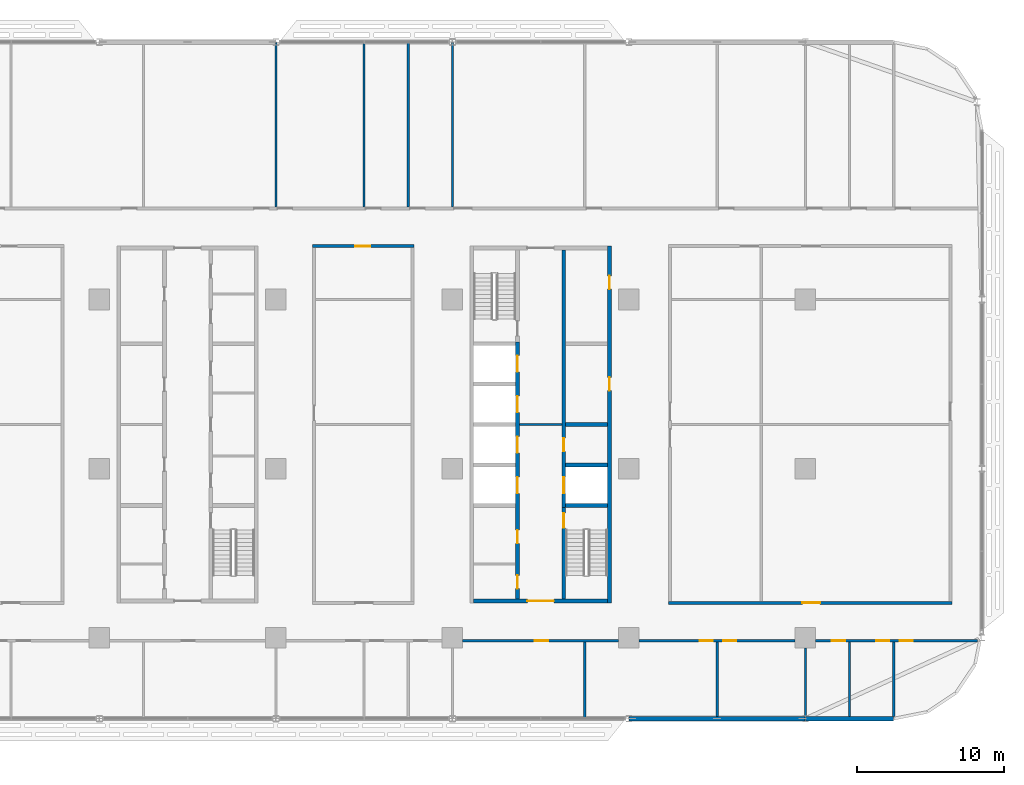
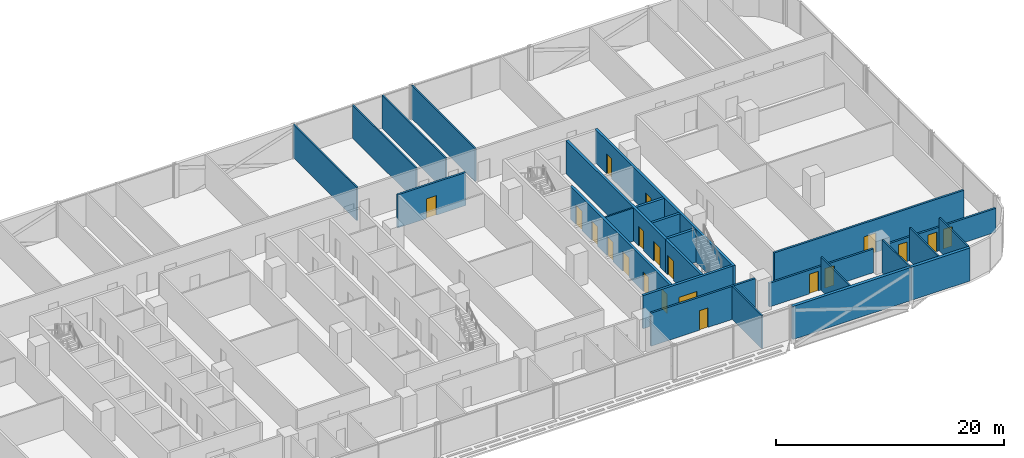
# One storey, part 16 of 29: 25 walls, 20 doors, 20 openings.
"""IFC4 building model written with IfcOpenShell, lengths in metres."""

import ifcopenshell
import ifcopenshell.guid

model = None  # the IFC model being written
_history = None  # IfcOwnerHistory: only IFC2X3 demands one
_inside = {}  # id of a spatial element -> (the spatial element, [elements in it])
_under = {}  # id of a project, library or spatial element -> (it, [spatial elements below it])
_declared = {}  # id of a project -> (the project, [libraries it declares])
_typed = {}  # id of a type object -> (the type object, [elements of that type])
_made_of = {}  # id of a material, layer set ... -> (it, [elements and type objects made of it])


def new_model(schema):
    """Start an empty IFC model of exactly this schema.

    Asked for "IFC4X3", IfcOpenShell would pick the latest addendum, in which some entities
    have other attributes; the version numbers below select the first issue.
    IFC2X3 requires an IfcOwnerHistory on every rooted entity: one is made here for all.
    """
    global model, _history
    if schema == "IFC4X3":
        model = ifcopenshell.file(schema_version=(4, 3, 0, 0))
    else:
        model = ifcopenshell.file(schema=schema)
    _inside.clear()
    _under.clear()
    _declared.clear()
    _typed.clear()
    _made_of.clear()
    _history = None
    if model.schema == "IFC2X3":
        org = make("IfcOrganization", Name="unknown")
        user = make(
            "IfcPersonAndOrganization",
            ThePerson=make("IfcPerson", FamilyName="unknown"),
            TheOrganization=org,
        )
        app = make(
            "IfcApplication",
            ApplicationDeveloper=org,
            Version="unknown",
            ApplicationFullName="unknown",
            ApplicationIdentifier="unknown",
        )
        _history = make(
            "IfcOwnerHistory",
            OwningUser=user,
            OwningApplication=app,
            ChangeAction="ADDED",
            CreationDate=0,
        )
    return model


def make(cls, **values):
    """One entity of the class cls with the attributes given. An attribute that is None is left unset."""
    return model.create_entity(
        cls, **{name: value for name, value in values.items() if value is not None}
    )


def rooted(cls, **values):
    """An entity with a GlobalId (a new one), such as an element, a storey or a relation."""
    return make(cls, GlobalId=ifcopenshell.guid.new(), OwnerHistory=_history, **values)


def si_unit(unit_type, name, prefix=None):
    """IfcSIUnit, for example si_unit("LENGTHUNIT", "METRE", prefix="MILLI")."""
    return make("IfcSIUnit", UnitType=unit_type, Prefix=prefix, Name=name)


def assignment(units):
    """IfcUnitAssignment: the units of a project."""
    return None if units is None else make("IfcUnitAssignment", Units=units)


def point(xyz):
    """IfcCartesianPoint."""
    return None if xyz is None else make("IfcCartesianPoint", Coordinates=xyz)


def direction(xyz):
    """IfcDirection."""
    return None if xyz is None else make("IfcDirection", DirectionRatios=xyz)


def frame(location, z_axis=None, x_axis=None):
    """IfcAxis2Placement3D, a coordinate frame: its origin and axes. An axis left out is left unset."""
    return make(
        "IfcAxis2Placement3D",
        Location=point(location),
        Axis=direction(z_axis),
        RefDirection=direction(x_axis),
    )


def frame_2d(location, x_axis=None):
    """IfcAxis2Placement2D, a coordinate frame in the plane: its origin and x axis."""
    return make(
        "IfcAxis2Placement2D", Location=point(location), RefDirection=direction(x_axis)
    )


def origin():
    """The frame at (0, 0, 0) with its axes left unset."""
    return frame((0.0, 0.0, 0.0))


def place(relative_to, where):
    """IfcLocalPlacement: puts the frame where relative to a parent placement (None: the world)."""
    return make(
        "IfcLocalPlacement", PlacementRelTo=relative_to, RelativePlacement=where
    )


def context(
    kind, dimensions, precision=None, world=None, true_north=None, identifier=None
):
    """IfcGeometricRepresentationContext, for example the 3D "Model" context."""
    return make(
        "IfcGeometricRepresentationContext",
        ContextIdentifier=identifier,
        ContextType=kind,
        CoordinateSpaceDimension=dimensions,
        Precision=precision,
        WorldCoordinateSystem=world,
        TrueNorth=true_north,
    )


def subcontext(parent, identifier, kind, view, scale=None):
    """IfcGeometricRepresentationSubContext, for example "Body" below "Model"."""
    return make(
        "IfcGeometricRepresentationSubContext",
        ContextIdentifier=identifier,
        ContextType=kind,
        ParentContext=parent,
        TargetScale=scale,
        TargetView=view,
    )


def project(units=None, contexts=None):
    """IfcProject with its units and contexts."""
    return rooted(
        "IfcProject",
        Name="project",
        RepresentationContexts=contexts,
        UnitsInContext=assignment(units),
    )


def spatial(cls, under=None, at=None, **own):
    """A site, building, storey or space (cls), placed at a placement, below another one or the project."""
    s = rooted(cls, ObjectPlacement=at, **own)
    if under is not None:
        _under.setdefault(under.id(), (under, []))[1].append(s)
    return s


def profile(cls, at=None, kind="AREA", **sizes):
    """A parametric profile (cls). Its sizes go by their IFC names, for example OverallWidth=200.0."""
    return make(cls, ProfileType=kind, Position=at, **sizes)


def rectangle(**sizes):
    """IfcRectangleProfileDef."""
    return profile("IfcRectangleProfileDef", **sizes)


def extrude(swept, where, along, depth):
    """IfcExtrudedAreaSolid: the profile swept, set in the frame where, extruded along a direction by depth."""
    return make(
        "IfcExtrudedAreaSolid",
        SweptArea=swept,
        Position=where,
        ExtrudedDirection=direction(along),
        Depth=depth,
    )


def shape(context_of_items, identifier, shape_type, items):
    """IfcShapeRepresentation: the items that make up one representation, for example the "Body"."""
    return make(
        "IfcShapeRepresentation",
        ContextOfItems=context_of_items,
        RepresentationIdentifier=identifier,
        RepresentationType=shape_type,
        Items=items,
    )


def material(Name=None, Category=None):
    """IfcMaterial."""
    return make("IfcMaterial", Name=Name, Category=Category)


def layer(
    of_material, thickness, ventilated=None, Name=None, Category=None, Priority=None
):
    """IfcMaterialLayer: one layer of a wall or slab, of a material (None: an air gap)."""
    return make(
        "IfcMaterialLayer",
        Material=of_material,
        LayerThickness=thickness,
        IsVentilated=ventilated,
        Name=Name,
        Category=Category,
        Priority=Priority,
    )


def layer_set(layers, Name=None):
    """IfcMaterialLayerSet."""
    return make("IfcMaterialLayerSet", MaterialLayers=layers, LayerSetName=Name)


def made_of(thing, what):
    """Note that an element or type object is made of a material, layer set ...; save() writes the relation."""
    if what is not None:
        _made_of.setdefault(what.id(), (what, []))[1].append(thing)
    return thing


def type_object(cls, material=None, **own):
    """A type object (cls), such as IfcWallType, which elements share."""
    return made_of(rooted(cls, **own), material)


def element(
    cls,
    number,
    at=None,
    inside=None,
    cuts=None,
    type_object=None,
    material=None,
    context=None,
    identifier="Body",
    shape_type=None,
    held_by="IfcProductDefinitionShape",
    body=None,
    shapes=None,
    **own,
):
    """One element of the class cls, such as IfcWall. Its Tag is "e" and its number.

    at: its placement. inside: the storey or other place that contains it. cuts: it is an
    opening in that element (IfcRelVoidsElement). A single representation is given by context,
    identifier, shape_type and body (its items); several are given by shapes. held_by: the class
    of the entity that holds the representations. save() writes the other relations.
    """
    e = rooted(cls, Tag="e%d" % number, ObjectPlacement=at, **own)
    if body is not None:
        shapes = [shape(context, identifier, shape_type, body)]
    if shapes is not None:
        e.Representation = make(held_by, Representations=shapes)
    if inside is not None:
        _inside.setdefault(inside.id(), (inside, []))[1].append(e)
    if cuts is not None:
        rooted(
            "IfcRelVoidsElement", RelatingBuildingElement=cuts, RelatedOpeningElement=e
        )
    if type_object is not None:
        _typed.setdefault(type_object.id(), (type_object, []))[1].append(e)
    return made_of(e, material)


def fill(opening, filler):
    """IfcRelFillsElement: the door or window that sits in an opening."""
    return rooted(
        "IfcRelFillsElement",
        RelatingOpeningElement=opening,
        RelatedBuildingElement=filler,
    )


def aggregate(whole, parts):
    """IfcRelAggregates: a whole, such as a stair, and the parts it consists of."""
    return rooted("IfcRelAggregates", RelatingObject=whole, RelatedObjects=parts)


def save(model, path):
    """Write the relations noted so far, then the file.

    IfcRelAggregates (storeys below a building ...), IfcRelContainedInSpatialStructure (elements
    in a storey), IfcRelDefinesByType, IfcRelAssociatesMaterial and IfcRelDeclares: one each for
    every whole, place, type object, material and project.
    """
    for whole, parts in _under.values():
        aggregate(whole, parts)
    for where, things in _inside.values():
        rooted(
            "IfcRelContainedInSpatialStructure",
            RelatedElements=things,
            RelatingStructure=where,
        )
    for kind, things in _typed.values():
        rooted("IfcRelDefinesByType", RelatedObjects=things, RelatingType=kind)
    for what, things in _made_of.values():
        rooted("IfcRelAssociatesMaterial", RelatedObjects=things, RelatingMaterial=what)
    for by, libraries in _declared.values():
        rooted("IfcRelDeclares", RelatingContext=by, RelatedDefinitions=libraries)
    model.write(path)


model = new_model("IFC4")

# Units and contexts
model_context = context("Model", 3, precision=1e-05, world=origin(), true_north=direction((0.0, 1.0)))
body_context = subcontext(model_context, "Body", "Model", "MODEL_VIEW")
ifc_project = project(units=[si_unit("LENGTHUNIT", "METRE"), si_unit("AREAUNIT", "SQUARE_METRE"), si_unit("VOLUMEUNIT", "CUBIC_METRE"), si_unit("PLANEANGLEUNIT", "RADIAN"), si_unit("MASSUNIT", "GRAM", prefix="KILO")], contexts=[model_context])

# Site, building, storey
site_placement = place(None, origin())
site = spatial("IfcSite", under=ifc_project, at=site_placement, CompositionType="ELEMENT")
building_placement = place(site_placement, origin())
building = spatial("IfcBuilding", under=site, at=building_placement, Name="Mahtab Terrace Research Tower", CompositionType="ELEMENT")
storey_placement = place(building_placement, frame((0.0, 0.0, 113.5)))
storey = spatial("IfcBuildingStorey", under=building, at=storey_placement, Name="L26", CompositionType="ELEMENT", Elevation=113.5)

# Wall
ifc_material_1 = material(Name="Gypsum board partition")
ifc_layer_1 = layer(ifc_material_1, 0.14990234375)
ifc_layer_set_1 = layer_set([ifc_layer_1], Name="Core partition 150")
wall_type_1 = type_object("IfcWallType", Name="Core partition 150", PredefinedType="PARTITIONING", material=ifc_layer_set_1)
wall_1_placement = place(storey_placement, frame((22.550048828125, 3.0, 0.0), z_axis=(0.0, 0.0, 1.0), x_axis=(1.0, 0.0, 0.0)))
element("IfcWall", 1, at=wall_1_placement, inside=storey, type_object=wall_type_1, Name="Core wall C ffl", PredefinedType="PARTITIONING", context=body_context, shape_type="SweptSolid", body=[
    extrude(rectangle(XDim=2.89990234375, YDim=0.14990234375, at=frame_2d((1.449951171875, 0.0))), origin(), (0.0, 0.0, 1.0), 3.550048828125),
])

# Wall, openings, doors
ifc_material_2 = material(Name="Concrete C70/85", Category="concrete")
ifc_layer_2 = layer(ifc_material_2, 0.25)
ifc_layer_set_2 = layer_set([ifc_layer_2], Name="Core wall 250")
wall_type_2 = type_object("IfcWallType", Name="Core wall 250", PredefinedType="SOLIDWALL", material=ifc_layer_set_2)
wall_2_placement = place(storey_placement, frame((28.675048828125, -9.125, 0.0), z_axis=(0.0, 0.0, 1.0), x_axis=(0.0, 1.0, 0.0)))
wall_2 = element("IfcWall", 2, at=wall_2_placement, inside=storey, type_object=wall_type_2, Name="Core wall C outerE", PredefinedType="SOLIDWALL", context=body_context, shape_type="SweptSolid", body=[
    extrude(rectangle(XDim=24.25, YDim=0.25, at=frame_2d((12.125, 0.0))), origin(), (0.0, 0.0, 1.0), 3.550048828125),
])
opening_1_placement = place(wall_2_placement, frame((14.425048828125, 0.0, 0.0)))
opening_1 = element("IfcOpeningElement", 3, at=opening_1_placement, cuts=wall_2, Name="Opening C-R2", PredefinedType="OPENING", context=body_context, shape_type="SweptSolid", body=[
    extrude(rectangle(XDim=0.89990234375, YDim=2.10009765625, at=frame_2d((0.449951171875, 1.050048828125))), frame((0.0, 0.135009765625, 0.0), z_axis=(0.0, -1.0, 0.0), x_axis=(1.0, 0.0, 0.0)), (0.0, 0.0, 1.0), 0.27001953125),
])
opening_2_placement = place(wall_2_placement, frame((21.324951171875, 0.0, 0.0)))
opening_2 = element("IfcOpeningElement", 4, at=opening_2_placement, cuts=wall_2, Name="Opening C-R5", PredefinedType="OPENING", context=body_context, shape_type="SweptSolid", body=[
    extrude(rectangle(XDim=0.89990234375, YDim=2.10009765625, at=frame_2d((0.449951171875, 1.050048828125))), frame((0.0, 0.135009765625, 0.0), z_axis=(0.0, -1.0, 0.0), x_axis=(1.0, 0.0, 0.0)), (0.0, 0.0, 1.0), 0.27001953125),
])
ifc_material_3 = material(Name="Steel fire door", Category="steel")
door_type_1 = type_object("IfcDoorType", Name="Room door 900x2100 1 HR", OperationType="NOTDEFINED", PredefinedType="DOOR", material=ifc_material_3)
door_1_placement = place(opening_1_placement, origin())
door_1 = element("IfcDoor", 5, at=door_1_placement, inside=storey, type_object=door_type_1, Name="Plant room door", OperationType="SINGLE_SWING_RIGHT", OverallHeight=2.10009765625, OverallWidth=0.89990234375, PredefinedType="DOOR", context=body_context, shape_type="SweptSolid", body=[
    extrude(rectangle(XDim=0.89990234375, YDim=2.10009765625, at=frame_2d((0.449951171875, 1.050048828125))), frame((0.0, 0.02490234375, 0.0), z_axis=(0.0, -1.0, 0.0), x_axis=(1.0, 0.0, 0.0)), (0.0, 0.0, 1.0), 0.050048828125),
])
fill(opening_1, door_1)
door_2_placement = place(opening_2_placement, origin())
door_2 = element("IfcDoor", 6, at=door_2_placement, inside=storey, type_object=door_type_1, Name="Gas cylinder store door", OperationType="SINGLE_SWING_LEFT", OverallHeight=2.10009765625, OverallWidth=0.89990234375, PredefinedType="DOOR", context=body_context, shape_type="SweptSolid", body=[
    extrude(rectangle(XDim=0.89990234375, YDim=2.10009765625, at=frame_2d((0.449951171875, 1.050048828125))), frame((0.0, 0.02490234375, 0.0), z_axis=(0.0, -1.0, 0.0), x_axis=(1.0, 0.0, 0.0)), (0.0, 0.0, 1.0), 0.050048828125),
])
fill(opening_2, door_2)

# Wall, opening, door
wall_3_placement = place(storey_placement, frame((28.550048828125, -9.0, 0.0), z_axis=(0.0, 0.0, 1.0), x_axis=(-1.0, 0.0, 0.0)))
wall_3 = element("IfcWall", 7, at=wall_3_placement, inside=storey, type_object=wall_type_2, Name="Core wall C endS", PredefinedType="SOLIDWALL", context=body_context, shape_type="SweptSolid", body=[
    extrude(rectangle(XDim=9.10009765625, YDim=0.25, at=frame_2d((4.550048828125, 0.0))), origin(), (0.0, 0.0, 1.0), 3.550048828125),
])
opening_3_placement = place(wall_3_placement, frame((3.64990234375, 0.0, 0.0)))
opening_3 = element("IfcOpeningElement", 8, at=opening_3_placement, cuts=wall_3, Name="Opening C-S1", PredefinedType="OPENING", context=body_context, shape_type="SweptSolid", body=[
    extrude(rectangle(XDim=1.800048828125, YDim=2.10009765625, at=frame_2d((0.89990234375, 1.050048828125))), frame((0.0, 0.135009765625, 0.0), z_axis=(0.0, -1.0, 0.0), x_axis=(1.0, 0.0, 0.0)), (0.0, 0.0, 1.0), 0.27001953125),
])
door_type_2 = type_object("IfcDoorType", Name="Lobby double door 1800x2100 1 HR", OperationType="DOUBLE_DOOR_SINGLE_SWING", PredefinedType="DOOR", material=ifc_material_3)
door_3_placement = place(opening_3_placement, origin())
door_3 = element("IfcDoor", 9, at=door_3_placement, inside=storey, type_object=door_type_2, Name="Core entrance door C S", OperationType="DOUBLE_DOOR_SINGLE_SWING", OverallHeight=2.10009765625, OverallWidth=1.800048828125, PredefinedType="DOOR", context=body_context, shape_type="SweptSolid", body=[
    extrude(rectangle(XDim=1.800048828125, YDim=2.10009765625, at=frame_2d((0.89990234375, 1.050048828125))), frame((0.0, 0.02490234375, 0.0), z_axis=(0.0, -1.0, 0.0), x_axis=(1.0, 0.0, 0.0)), (0.0, 0.0, 1.0), 0.050048828125),
])
fill(opening_3, door_3)

# Wall, openings, doors
wall_4_placement = place(storey_placement, frame((22.425048828125, -8.875, 0.0), z_axis=(0.0, 0.0, 1.0), x_axis=(0.0, 1.0, 0.0)))
wall_4 = element("IfcWall", 10, at=wall_4_placement, inside=storey, type_object=wall_type_2, Name="Core wall C innerWSL", PredefinedType="SOLIDWALL", context=body_context, shape_type="SweptSolid", body=[
    extrude(rectangle(XDim=17.5, YDim=0.25, at=frame_2d((8.75, 0.0))), origin(), (0.0, 0.0, 1.0), 3.550048828125),
])
opening_4_placement = place(wall_4_placement, frame((7.199951171875, 0.0, 0.0)))
opening_4 = element("IfcOpeningElement", 11, at=opening_4_placement, cuts=wall_4, Name="Opening LD17-L26", PredefinedType="OPENING", context=body_context, shape_type="SweptSolid", body=[
    extrude(rectangle(XDim=1.10009765625, YDim=2.10009765625, at=frame_2d((0.550048828125, 1.050048828125))), frame((0.0, 0.135009765625, 0.0), z_axis=(0.0, -1.0, 0.0), x_axis=(1.0, 0.0, 0.0)), (0.0, 0.0, 1.0), 0.27001953125),
])
opening_5_placement = place(wall_4_placement, frame((9.949951171875, 0.0, 0.0)))
opening_5 = element("IfcOpeningElement", 12, at=opening_5_placement, cuts=wall_4, Name="Opening LD18-L26", PredefinedType="OPENING", context=body_context, shape_type="SweptSolid", body=[
    extrude(rectangle(XDim=1.10009765625, YDim=2.10009765625, at=frame_2d((0.550048828125, 1.050048828125))), frame((0.0, 0.135009765625, 0.0), z_axis=(0.0, -1.0, 0.0), x_axis=(1.0, 0.0, 0.0)), (0.0, 0.0, 1.0), 0.27001953125),
])
opening_6_placement = place(wall_4_placement, frame((12.699951171875, 0.0, 0.0)))
opening_6 = element("IfcOpeningElement", 13, at=opening_6_placement, cuts=wall_4, Name="Opening LD19-L26", PredefinedType="OPENING", context=body_context, shape_type="SweptSolid", body=[
    extrude(rectangle(XDim=1.10009765625, YDim=2.10009765625, at=frame_2d((0.550048828125, 1.050048828125))), frame((0.0, 0.135009765625, 0.0), z_axis=(0.0, -1.0, 0.0), x_axis=(1.0, 0.0, 0.0)), (0.0, 0.0, 1.0), 0.27001953125),
])
opening_7_placement = place(wall_4_placement, frame((15.449951171875, 0.0, 0.0)))
opening_7 = element("IfcOpeningElement", 14, at=opening_7_placement, cuts=wall_4, Name="Opening LD20-L26", PredefinedType="OPENING", context=body_context, shape_type="SweptSolid", body=[
    extrude(rectangle(XDim=1.10009765625, YDim=2.10009765625, at=frame_2d((0.550048828125, 1.050048828125))), frame((0.0, 0.135009765625, 0.0), z_axis=(0.0, -1.0, 0.0), x_axis=(1.0, 0.0, 0.0)), (0.0, 0.0, 1.0), 0.27001953125),
])
opening_8_placement = place(wall_4_placement, frame((0.71240234375, 0.0, 0.0)))
opening_8 = element("IfcOpeningElement", 15, at=opening_8_placement, cuts=wall_4, Name="Opening C-R3", PredefinedType="OPENING", context=body_context, shape_type="SweptSolid", body=[
    extrude(rectangle(XDim=0.89990234375, YDim=2.10009765625, at=frame_2d((0.449951171875, 1.050048828125))), frame((0.0, 0.135009765625, 0.0), z_axis=(0.0, -1.0, 0.0), x_axis=(1.0, 0.0, 0.0)), (0.0, 0.0, 1.0), 0.27001953125),
])
opening_9_placement = place(wall_4_placement, frame((3.78759765625, 0.0, 0.0)))
opening_9 = element("IfcOpeningElement", 16, at=opening_9_placement, cuts=wall_4, Name="Opening C-R4", PredefinedType="OPENING", context=body_context, shape_type="SweptSolid", body=[
    extrude(rectangle(XDim=0.89990234375, YDim=2.10009765625, at=frame_2d((0.449951171875, 1.050048828125))), frame((0.0, 0.135009765625, 0.0), z_axis=(0.0, -1.0, 0.0), x_axis=(1.0, 0.0, 0.0)), (0.0, 0.0, 1.0), 0.27001953125),
])
ifc_material_4 = material(Name="Stainless steel AISI 304", Category="steel")
door_type_3 = type_object("IfcDoorType", Name="Landing door 1100x2100", OperationType="DOUBLE_DOOR_SLIDING", PredefinedType="DOOR", material=ifc_material_4)
door_4_placement = place(opening_4_placement, origin())
door_4 = element("IfcDoor", 17, at=door_4_placement, inside=storey, type_object=door_type_3, Name="Landing door SV1 L26", OperationType="DOUBLE_DOOR_SLIDING", OverallHeight=2.10009765625, OverallWidth=1.10009765625, PredefinedType="DOOR", context=body_context, shape_type="SweptSolid", body=[
    extrude(rectangle(XDim=1.10009765625, YDim=2.10009765625, at=frame_2d((0.550048828125, 1.050048828125))), frame((0.0, 0.02490234375, 0.0), z_axis=(0.0, -1.0, 0.0), x_axis=(1.0, 0.0, 0.0)), (0.0, 0.0, 1.0), 0.050048828125),
])
fill(opening_4, door_4)
door_5_placement = place(opening_5_placement, origin())
door_5 = element("IfcDoor", 18, at=door_5_placement, inside=storey, type_object=door_type_3, Name="Landing door SV2 L26", OperationType="DOUBLE_DOOR_SLIDING", OverallHeight=2.10009765625, OverallWidth=1.10009765625, PredefinedType="DOOR", context=body_context, shape_type="SweptSolid", body=[
    extrude(rectangle(XDim=1.10009765625, YDim=2.10009765625, at=frame_2d((0.550048828125, 1.050048828125))), frame((0.0, 0.02490234375, 0.0), z_axis=(0.0, -1.0, 0.0), x_axis=(1.0, 0.0, 0.0)), (0.0, 0.0, 1.0), 0.050048828125),
])
fill(opening_5, door_5)
door_6_placement = place(opening_6_placement, origin())
door_6 = element("IfcDoor", 19, at=door_6_placement, inside=storey, type_object=door_type_3, Name="Landing door FF1 L26", OperationType="DOUBLE_DOOR_SLIDING", OverallHeight=2.10009765625, OverallWidth=1.10009765625, PredefinedType="DOOR", context=body_context, shape_type="SweptSolid", body=[
    extrude(rectangle(XDim=1.10009765625, YDim=2.10009765625, at=frame_2d((0.550048828125, 1.050048828125))), frame((0.0, 0.02490234375, 0.0), z_axis=(0.0, -1.0, 0.0), x_axis=(1.0, 0.0, 0.0)), (0.0, 0.0, 1.0), 0.050048828125),
])
fill(opening_6, door_6)
door_7_placement = place(opening_7_placement, origin())
door_7 = element("IfcDoor", 20, at=door_7_placement, inside=storey, type_object=door_type_3, Name="Landing door FF2 L26", OperationType="DOUBLE_DOOR_SLIDING", OverallHeight=2.10009765625, OverallWidth=1.10009765625, PredefinedType="DOOR", context=body_context, shape_type="SweptSolid", body=[
    extrude(rectangle(XDim=1.10009765625, YDim=2.10009765625, at=frame_2d((0.550048828125, 1.050048828125))), frame((0.0, 0.02490234375, 0.0), z_axis=(0.0, -1.0, 0.0), x_axis=(1.0, 0.0, 0.0)), (0.0, 0.0, 1.0), 0.050048828125),
])
fill(opening_7, door_7)
door_8_placement = place(opening_8_placement, origin())
door_8 = element("IfcDoor", 21, at=door_8_placement, inside=storey, type_object=door_type_1, Name="Accessible WC door", OperationType="SINGLE_SWING_LEFT", OverallHeight=2.10009765625, OverallWidth=0.89990234375, PredefinedType="DOOR", context=body_context, shape_type="SweptSolid", body=[
    extrude(rectangle(XDim=0.89990234375, YDim=2.10009765625, at=frame_2d((0.449951171875, 1.050048828125))), frame((0.0, 0.02490234375, 0.0), z_axis=(0.0, -1.0, 0.0), x_axis=(1.0, 0.0, 0.0)), (0.0, 0.0, 1.0), 0.050048828125),
])
fill(opening_8, door_8)
door_9_placement = place(opening_9_placement, origin())
door_9 = element("IfcDoor", 22, at=door_9_placement, inside=storey, type_object=door_type_1, Name="WC block door", OperationType="SINGLE_SWING_RIGHT", OverallHeight=2.10009765625, OverallWidth=0.89990234375, PredefinedType="DOOR", context=body_context, shape_type="SweptSolid", body=[
    extrude(rectangle(XDim=0.89990234375, YDim=2.10009765625, at=frame_2d((0.449951171875, 1.050048828125))), frame((0.0, 0.02490234375, 0.0), z_axis=(0.0, -1.0, 0.0), x_axis=(1.0, 0.0, 0.0)), (0.0, 0.0, 1.0), 0.050048828125),
])
fill(opening_9, door_9)

# Wall, opening, door
wall_5_placement = place(storey_placement, frame((25.574951171875, -8.875, 0.0), z_axis=(0.0, 0.0, 1.0), x_axis=(0.0, 1.0, 0.0)))
wall_5 = element("IfcWall", 23, at=wall_5_placement, inside=storey, type_object=wall_type_2, Name="Core wall C innerES", PredefinedType="SOLIDWALL", context=body_context, shape_type="SweptSolid", body=[
    extrude(rectangle(XDim=6.25, YDim=0.25, at=frame_2d((3.125, 0.0))), origin(), (0.0, 0.0, 1.0), 3.550048828125),
])
opening_10_placement = place(wall_5_placement, frame((4.85009765625, 0.0, 0.0)))
opening_10 = element("IfcOpeningElement", 24, at=opening_10_placement, cuts=wall_5, Name="Opening C-ST4", PredefinedType="OPENING", context=body_context, shape_type="SweptSolid", body=[
    extrude(rectangle(XDim=1.0, YDim=2.10009765625, at=frame_2d((0.5, 1.050048828125))), frame((0.0, 0.135009765625, 0.0), z_axis=(0.0, -1.0, 0.0), x_axis=(1.0, 0.0, 0.0)), (0.0, 0.0, 1.0), 0.27001953125),
])
door_type_4 = type_object("IfcDoorType", Name="Stair door 1000x2100 1.5 HR", OperationType="NOTDEFINED", PredefinedType="DOOR", material=ifc_material_3)
door_10_placement = place(opening_10_placement, origin())
door_10 = element("IfcDoor", 25, at=door_10_placement, inside=storey, type_object=door_type_4, Name="Stair door ST4 L26", OperationType="SINGLE_SWING_LEFT", OverallHeight=2.10009765625, OverallWidth=1.0, PredefinedType="DOOR", context=body_context, shape_type="SweptSolid", body=[
    extrude(rectangle(XDim=1.0, YDim=2.10009765625, at=frame_2d((0.5, 1.050048828125))), frame((0.0, 0.02490234375, 0.0), z_axis=(0.0, -1.0, 0.0), x_axis=(1.0, 0.0, 0.0)), (0.0, 0.0, 1.0), 0.050048828125),
])
fill(opening_10, door_10)

# Wall, openings, doors
wall_6_placement = place(storey_placement, frame((25.574951171875, 14.875, 0.0), z_axis=(0.0, 0.0, 1.0), x_axis=(0.0, -1.0, 0.0)))
wall_6 = element("IfcWall", 26, at=wall_6_placement, inside=storey, type_object=wall_type_2, Name="Core wall C innerELN", PredefinedType="SOLIDWALL", context=body_context, shape_type="SweptSolid", body=[
    extrude(rectangle(XDim=17.5, YDim=0.25, at=frame_2d((8.75, 0.0))), origin(), (0.0, 0.0, 1.0), 3.550048828125),
])
opening_11_placement = place(wall_6_placement, frame((15.449951171875, 0.0, 0.0)))
opening_11 = element("IfcOpeningElement", 27, at=opening_11_placement, cuts=wall_6, Name="Opening LD21-L26", PredefinedType="OPENING", context=body_context, shape_type="SweptSolid", body=[
    extrude(rectangle(XDim=1.10009765625, YDim=2.10009765625, at=frame_2d((0.550048828125, 1.050048828125))), frame((0.0, 0.135009765625, 0.0), z_axis=(0.0, -1.0, 0.0), x_axis=(1.0, 0.0, 0.0)), (0.0, 0.0, 1.0), 0.27001953125),
])
opening_12_placement = place(wall_6_placement, frame((12.800048828125, 0.0, 0.0)))
opening_12 = element("IfcOpeningElement", 28, at=opening_12_placement, cuts=wall_6, Name="Opening C-R1", PredefinedType="OPENING", context=body_context, shape_type="SweptSolid", body=[
    extrude(rectangle(XDim=0.89990234375, YDim=2.10009765625, at=frame_2d((0.449951171875, 1.050048828125))), frame((0.0, 0.135009765625, 0.0), z_axis=(0.0, -1.0, 0.0), x_axis=(1.0, 0.0, 0.0)), (0.0, 0.0, 1.0), 0.27001953125),
])
door_11_placement = place(opening_11_placement, origin())
door_11 = element("IfcDoor", 29, at=door_11_placement, inside=storey, type_object=door_type_3, Name="Landing door SV3 L26", OperationType="DOUBLE_DOOR_SLIDING", OverallHeight=2.10009765625, OverallWidth=1.10009765625, PredefinedType="DOOR", context=body_context, shape_type="SweptSolid", body=[
    extrude(rectangle(XDim=1.10009765625, YDim=2.10009765625, at=frame_2d((0.550048828125, 1.050048828125))), frame((0.0, 0.02490234375, 0.0), z_axis=(0.0, -1.0, 0.0), x_axis=(1.0, 0.0, 0.0)), (0.0, 0.0, 1.0), 0.050048828125),
])
fill(opening_11, door_11)
door_12_placement = place(opening_12_placement, origin())
door_12 = element("IfcDoor", 30, at=door_12_placement, inside=storey, type_object=door_type_1, Name="Plant room door", OperationType="SINGLE_SWING_LEFT", OverallHeight=2.10009765625, OverallWidth=0.89990234375, PredefinedType="DOOR", context=body_context, shape_type="SweptSolid", body=[
    extrude(rectangle(XDim=0.89990234375, YDim=2.10009765625, at=frame_2d((0.449951171875, 1.050048828125))), frame((0.0, 0.02490234375, 0.0), z_axis=(0.0, -1.0, 0.0), x_axis=(1.0, 0.0, 0.0)), (0.0, 0.0, 1.0), 0.050048828125),
])
fill(opening_12, door_12)

# Walls
for number, where, z_axis, x_axis, name in (
    (31, (25.699951171875, -2.5, 0.0), (0.0, 0.0, 1.0), (1.0, 0.0, 0.0), "Core wall C divE0"),
    (32, (25.699951171875, 0.25, 0.0), (0.0, 0.0, 1.0), (1.0, 0.0, 0.0), "Core wall C divE1"),
    (33, (25.699951171875, 3.0, 0.0), (0.0, 0.0, 1.0), (1.0, 0.0, 0.0), "Core wall C divE2"),
):
    element("IfcWall", number, at=place(storey_placement, frame(where, z_axis=z_axis, x_axis=x_axis)), inside=storey, type_object=wall_type_2, Name=name, PredefinedType="SOLIDWALL", context=body_context, shape_type="SweptSolid", body=[
        extrude(rectangle(XDim=2.85009765625, YDim=0.25, at=frame_2d((1.425048828125, 0.0))), origin(), (0.0, 0.0, 1.0), 3.550048828125),
    ])
ifc_material_5 = material(Name="Black aluminium cladding panel", Category="aluminium")
ifc_layer_3 = layer(ifc_material_5, 0.300048828125)
ifc_layer_set_3 = layer_set([ifc_layer_3], Name="Opaque facade wall 300")
wall_type_3 = type_object("IfcWallType", Name="Opaque facade wall 300", PredefinedType="NOTDEFINED", material=ifc_layer_set_3)
wall_7_placement = place(storey_placement, frame((30.02099609375, -17.0, 0.0), z_axis=(0.0, 0.0, 1.0), x_axis=(1.0, 0.0, 0.0)))
element("IfcWall", 34, at=wall_7_placement, inside=storey, type_object=wall_type_3, Name="Opaque facade wall L26 S29", PredefinedType="NOTDEFINED", context=body_context, shape_type="SweptSolid", body=[
    extrude(rectangle(XDim=11.9580078125, YDim=0.300048828125, at=frame_2d((5.97900390625, 0.0))), origin(), (0.0, 0.0, 1.0), 3.550048828125),
])
wall_8_placement = place(storey_placement, frame((42.02099609375, -17.0, 0.0), z_axis=(0.0, 0.0, 1.0), x_axis=(1.0, 0.0, 0.0)))
element("IfcWall", 35, at=wall_8_placement, inside=storey, type_object=wall_type_3, Name="Opaque facade wall L26 S30", PredefinedType="NOTDEFINED", context=body_context, shape_type="SweptSolid", body=[
    extrude(rectangle(XDim=5.97900390625, YDim=0.300048828125, at=frame_2d((2.989501953125, 0.0))), origin(), (0.0, 0.0, 1.0), 3.550048828125),
])

# Wall, opening, door
ifc_material_6 = material(Name="Gypsum board corridor wall on steel studs", Category="steel")
ifc_layer_4 = layer(ifc_material_6, 0.199951171875)
ifc_layer_set_4 = layer_set([ifc_layer_4], Name="WALL CORRIDOR 200")
wall_type_4 = type_object("IfcWallType", Name="WALL CORRIDOR 200", PredefinedType="PARTITIONING", material=ifc_layer_set_4)
wall_9_placement = place(storey_placement, frame((18.699951171875, -11.699951171875, 0.0), z_axis=(0.0, 0.0, 1.0), x_axis=(1.0, 0.0, 0.0)))
wall_9 = element("IfcWall", 36, at=wall_9_placement, inside=storey, type_object=wall_type_4, Name="L26-W006", PredefinedType="PARTITIONING", context=body_context, shape_type="SweptSolid", body=[
    extrude(rectangle(XDim=10.60009765625, YDim=0.199951171875, at=frame_2d((5.300048828125, 0.0))), origin(), (0.0, 0.0, 1.0), 3.550048828125),
])
opening_13_placement = place(wall_9_placement, frame((4.89990234375, 0.0, 0.0)))
opening_13 = element("IfcOpeningElement", 37, at=opening_13_placement, cuts=wall_9, Name="Opening L26-111", PredefinedType="OPENING", context=body_context, shape_type="SweptSolid", body=[
    extrude(rectangle(XDim=0.89990234375, YDim=2.10009765625, at=frame_2d((0.449951171875, 1.050048828125))), frame((0.0, 0.10986328125, 0.0), z_axis=(0.0, -1.0, 0.0), x_axis=(1.0, 0.0, 0.0)), (0.0, 0.0, 1.0), 0.219970703125),
])
ifc_material_7 = material(Name="Timber door leaf in steel frame", Category="steel")
door_type_5 = type_object("IfcDoorType", Name="DOOR 0900X2100 FD30S", OperationType="SINGLE_SWING_LEFT", PredefinedType="DOOR", material=ifc_material_7)
door_13_placement = place(opening_13_placement, origin())
door_13 = element("IfcDoor", 38, at=door_13_placement, inside=storey, type_object=door_type_5, Name="Door L26-111", OperationType="SINGLE_SWING_LEFT", OverallHeight=2.10009765625, OverallWidth=0.89990234375, PredefinedType="DOOR", context=body_context, shape_type="SweptSolid", body=[
    extrude(rectangle(XDim=0.89990234375, YDim=2.10009765625, at=frame_2d((0.449951171875, 1.050048828125))), frame((0.0, 0.02490234375, 0.0), z_axis=(0.0, -1.0, 0.0), x_axis=(1.0, 0.0, 0.0)), (0.0, 0.0, 1.0), 0.050048828125),
])
fill(opening_13, door_13)

# Wall, openings, doors
wall_10_placement = place(storey_placement, frame((30.699951171875, -11.699951171875, 0.0), z_axis=(0.0, 0.0, 1.0), x_axis=(1.0, 0.0, 0.0)))
wall_10 = element("IfcWall", 39, at=wall_10_placement, inside=storey, type_object=wall_type_4, Name="L26-W007", PredefinedType="PARTITIONING", context=body_context, shape_type="SweptSolid", body=[
    extrude(rectangle(XDim=10.60009765625, YDim=0.199951171875, at=frame_2d((5.300048828125, 0.0))), origin(), (0.0, 0.0, 1.0), 2.55126953125),
])
opening_14_placement = place(wall_10_placement, frame((4.10009765625, 0.0, 0.0)))
opening_14 = element("IfcOpeningElement", 40, at=opening_14_placement, cuts=wall_10, Name="Opening L26-112", PredefinedType="OPENING", context=body_context, shape_type="SweptSolid", body=[
    extrude(rectangle(XDim=0.89990234375, YDim=2.10009765625, at=frame_2d((0.449951171875, 1.050048828125))), frame((0.0, 0.10986328125, 0.0), z_axis=(0.0, -1.0, 0.0), x_axis=(1.0, 0.0, 0.0)), (0.0, 0.0, 1.0), 0.219970703125),
])
opening_15_placement = place(wall_10_placement, frame((5.699951171875, 0.0, 0.0)))
opening_15 = element("IfcOpeningElement", 41, at=opening_15_placement, cuts=wall_10, Name="Opening L26-113", PredefinedType="OPENING", context=body_context, shape_type="SweptSolid", body=[
    extrude(rectangle(XDim=0.89990234375, YDim=2.10009765625, at=frame_2d((0.449951171875, 1.050048828125))), frame((0.0, 0.10986328125, 0.0), z_axis=(0.0, -1.0, 0.0), x_axis=(1.0, 0.0, 0.0)), (0.0, 0.0, 1.0), 0.219970703125),
])
door_14_placement = place(opening_14_placement, origin())
door_14 = element("IfcDoor", 42, at=door_14_placement, inside=storey, type_object=door_type_5, Name="Door L26-112", OperationType="SINGLE_SWING_RIGHT", OverallHeight=2.10009765625, OverallWidth=0.89990234375, PredefinedType="DOOR", context=body_context, shape_type="SweptSolid", body=[
    extrude(rectangle(XDim=0.89990234375, YDim=2.10009765625, at=frame_2d((0.449951171875, 1.050048828125))), frame((0.0, 0.02490234375, 0.0), z_axis=(0.0, -1.0, 0.0), x_axis=(1.0, 0.0, 0.0)), (0.0, 0.0, 1.0), 0.050048828125),
])
fill(opening_14, door_14)
door_15_placement = place(opening_15_placement, origin())
door_15 = element("IfcDoor", 43, at=door_15_placement, inside=storey, type_object=door_type_5, Name="Door L26-113", OperationType="SINGLE_SWING_LEFT", OverallHeight=2.10009765625, OverallWidth=0.89990234375, PredefinedType="DOOR", context=body_context, shape_type="SweptSolid", body=[
    extrude(rectangle(XDim=0.89990234375, YDim=2.10009765625, at=frame_2d((0.449951171875, 1.050048828125))), frame((0.0, 0.02490234375, 0.0), z_axis=(0.0, -1.0, 0.0), x_axis=(1.0, 0.0, 0.0)), (0.0, 0.0, 1.0), 0.050048828125),
])
fill(opening_15, door_15)

wall_11_placement = place(storey_placement, frame((42.699951171875, -11.699951171875, 0.0), z_axis=(0.0, 0.0, 1.0), x_axis=(1.0, 0.0, 0.0)))
wall_11 = element("IfcWall", 44, at=wall_11_placement, inside=storey, type_object=wall_type_4, Name="L26-W008", PredefinedType="PARTITIONING", context=body_context, shape_type="SweptSolid", body=[
    extrude(rectangle(XDim=11.0078125, YDim=0.199951171875, at=frame_2d((5.50390625, 0.0))), origin(), (0.0, 0.0, 1.0), 2.55126953125),
])
opening_16_placement = place(wall_11_placement, frame((1.10009765625, 0.0, 0.0)))
opening_16 = element("IfcOpeningElement", 45, at=opening_16_placement, cuts=wall_11, Name="Opening L26-114", PredefinedType="OPENING", context=body_context, shape_type="SweptSolid", body=[
    extrude(rectangle(XDim=0.89990234375, YDim=2.10009765625, at=frame_2d((0.449951171875, 1.050048828125))), frame((0.0, 0.10986328125, 0.0), z_axis=(0.0, -1.0, 0.0), x_axis=(1.0, 0.0, 0.0)), (0.0, 0.0, 1.0), 0.219970703125),
])
opening_17_placement = place(wall_11_placement, frame((4.10009765625, 0.0, 0.0)))
opening_17 = element("IfcOpeningElement", 46, at=opening_17_placement, cuts=wall_11, Name="Opening L26-115", PredefinedType="OPENING", context=body_context, shape_type="SweptSolid", body=[
    extrude(rectangle(XDim=0.89990234375, YDim=2.10009765625, at=frame_2d((0.449951171875, 1.050048828125))), frame((0.0, 0.10986328125, 0.0), z_axis=(0.0, -1.0, 0.0), x_axis=(1.0, 0.0, 0.0)), (0.0, 0.0, 1.0), 0.219970703125),
])
opening_18_placement = place(wall_11_placement, frame((5.699951171875, 0.0, 0.0)))
opening_18 = element("IfcOpeningElement", 47, at=opening_18_placement, cuts=wall_11, Name="Opening L26-116", PredefinedType="OPENING", context=body_context, shape_type="SweptSolid", body=[
    extrude(rectangle(XDim=0.89990234375, YDim=2.10009765625, at=frame_2d((0.449951171875, 1.050048828125))), frame((0.0, 0.10986328125, 0.0), z_axis=(0.0, -1.0, 0.0), x_axis=(1.0, 0.0, 0.0)), (0.0, 0.0, 1.0), 0.219970703125),
])
door_16_placement = place(opening_16_placement, origin())
door_16 = element("IfcDoor", 48, at=door_16_placement, inside=storey, type_object=door_type_5, Name="Door L26-114", OperationType="SINGLE_SWING_RIGHT", OverallHeight=2.10009765625, OverallWidth=0.89990234375, PredefinedType="DOOR", context=body_context, shape_type="SweptSolid", body=[
    extrude(rectangle(XDim=0.89990234375, YDim=2.10009765625, at=frame_2d((0.449951171875, 1.050048828125))), frame((0.0, 0.02490234375, 0.0), z_axis=(0.0, -1.0, 0.0), x_axis=(1.0, 0.0, 0.0)), (0.0, 0.0, 1.0), 0.050048828125),
])
fill(opening_16, door_16)
door_17_placement = place(opening_17_placement, origin())
door_17 = element("IfcDoor", 49, at=door_17_placement, inside=storey, type_object=door_type_5, Name="Door L26-115", OperationType="SINGLE_SWING_RIGHT", OverallHeight=2.10009765625, OverallWidth=0.89990234375, PredefinedType="DOOR", context=body_context, shape_type="SweptSolid", body=[
    extrude(rectangle(XDim=0.89990234375, YDim=2.10009765625, at=frame_2d((0.449951171875, 1.050048828125))), frame((0.0, 0.02490234375, 0.0), z_axis=(0.0, -1.0, 0.0), x_axis=(1.0, 0.0, 0.0)), (0.0, 0.0, 1.0), 0.050048828125),
])
fill(opening_17, door_17)
door_18_placement = place(opening_18_placement, origin())
door_18 = element("IfcDoor", 50, at=door_18_placement, inside=storey, type_object=door_type_5, Name="Door L26-116", OperationType="SINGLE_SWING_LEFT", OverallHeight=2.10009765625, OverallWidth=0.89990234375, PredefinedType="DOOR", context=body_context, shape_type="SweptSolid", body=[
    extrude(rectangle(XDim=0.89990234375, YDim=2.10009765625, at=frame_2d((0.449951171875, 1.050048828125))), frame((0.0, 0.02490234375, 0.0), z_axis=(0.0, -1.0, 0.0), x_axis=(1.0, 0.0, 0.0)), (0.0, 0.0, 1.0), 0.050048828125),
])
fill(opening_18, door_18)

# Wall, opening, door
wall_12_placement = place(storey_placement, frame((32.699951171875, -9.125, 0.0), z_axis=(0.0, 0.0, 1.0), x_axis=(1.0, 0.0, 0.0)))
wall_12 = element("IfcWall", 51, at=wall_12_placement, inside=storey, type_object=wall_type_4, Name="L26-W012", PredefinedType="PARTITIONING", context=body_context, shape_type="SweptSolid", body=[
    extrude(rectangle(XDim=19.25, YDim=0.199951171875, at=frame_2d((9.625, 0.0))), origin(), (0.0, 0.0, 1.0), 3.550048828125),
])
opening_19_placement = place(wall_12_placement, frame((9.10009765625, 0.0, 0.0)))
opening_19 = element("IfcOpeningElement", 52, at=opening_19_placement, cuts=wall_12, Name="Opening L26-121", PredefinedType="OPENING", context=body_context, shape_type="SweptSolid", body=[
    extrude(rectangle(XDim=1.199951171875, YDim=2.10009765625, at=frame_2d((0.60009765625, 1.050048828125))), frame((0.0, 0.10986328125, 0.0), z_axis=(0.0, -1.0, 0.0), x_axis=(1.0, 0.0, 0.0)), (0.0, 0.0, 1.0), 0.219970703125),
])
door_type_6 = type_object("IfcDoorType", Name="DOOR 1200X2100 FD30S", OperationType="SINGLE_SWING_LEFT", PredefinedType="DOOR", material=ifc_material_7)
door_19_placement = place(opening_19_placement, origin())
door_19 = element("IfcDoor", 53, at=door_19_placement, inside=storey, type_object=door_type_6, Name="Door L26-121", OperationType="SINGLE_SWING_RIGHT", OverallHeight=2.10009765625, OverallWidth=1.199951171875, PredefinedType="DOOR", context=body_context, shape_type="SweptSolid", body=[
    extrude(rectangle(XDim=1.199951171875, YDim=2.10009765625, at=frame_2d((0.60009765625, 1.050048828125))), frame((0.0, 0.02490234375, 0.0), z_axis=(0.0, -1.0, 0.0), x_axis=(1.0, 0.0, 0.0)), (0.0, 0.0, 1.0), 0.050048828125),
])
fill(opening_19, door_19)

wall_13_placement = place(storey_placement, frame((8.5, 15.125, 0.0), z_axis=(0.0, 0.0, 1.0), x_axis=(1.0, 0.0, 0.0)))
wall_13 = element("IfcWall", 54, at=wall_13_placement, inside=storey, type_object=wall_type_4, Name="L26-W024", PredefinedType="PARTITIONING", context=body_context, shape_type="SweptSolid", body=[
    extrude(rectangle(XDim=6.89990234375, YDim=0.199951171875, at=frame_2d((3.449951171875, 0.0))), origin(), (0.0, 0.0, 1.0), 3.550048828125),
])
opening_20_placement = place(wall_13_placement, frame((2.89990234375, 0.0, 0.0)))
opening_20 = element("IfcOpeningElement", 55, at=opening_20_placement, cuts=wall_13, Name="Opening L26-129", PredefinedType="OPENING", context=body_context, shape_type="SweptSolid", body=[
    extrude(rectangle(XDim=1.0, YDim=2.10009765625, at=frame_2d((0.5, 1.050048828125))), frame((0.0, 0.10986328125, 0.0), z_axis=(0.0, -1.0, 0.0), x_axis=(1.0, 0.0, 0.0)), (0.0, 0.0, 1.0), 0.219970703125),
])
door_type_7 = type_object("IfcDoorType", Name="DOOR 1000X2100 FD30S", OperationType="SINGLE_SWING_LEFT", PredefinedType="DOOR", material=ifc_material_7)
door_20_placement = place(opening_20_placement, origin())
door_20 = element("IfcDoor", 56, at=door_20_placement, inside=storey, type_object=door_type_7, Name="Door L26-129", OperationType="SINGLE_SWING_RIGHT", OverallHeight=2.10009765625, OverallWidth=1.0, PredefinedType="DOOR", context=body_context, shape_type="SweptSolid", body=[
    extrude(rectangle(XDim=1.0, YDim=2.10009765625, at=frame_2d((0.5, 1.050048828125))), frame((0.0, 0.02490234375, 0.0), z_axis=(0.0, -1.0, 0.0), x_axis=(1.0, 0.0, 0.0)), (0.0, 0.0, 1.0), 0.050048828125),
])
fill(opening_20, door_20)

# Walls
ifc_material_8 = material(Name="Gypsum board partition on steel studs", Category="steel")
ifc_layer_5 = layer(ifc_material_8, 0.14990234375)
ifc_layer_set_5 = layer_set([ifc_layer_5], Name="WALL PARTITION 150")
wall_type_5 = type_object("IfcWallType", Name="WALL PARTITION 150", PredefinedType="PARTITIONING", material=ifc_layer_set_5)
for number, where, z_axis, x_axis, name in (
    (57, (6.0, 17.800048828125, 0.0), (0.0, 0.0, 1.0), (0.0, 1.0, 0.0), "L26-W044"),
    (58, (12.0, 17.800048828125, 0.0), (0.0, 0.0, 1.0), (0.0, 1.0, 0.0), "L26-W047"),
    (59, (15.0, 17.800048828125, 0.0), (0.0, 0.0, 1.0), (0.0, 1.0, 0.0), "L26-W049"),
    (60, (18.0, 17.800048828125, 0.0), (0.0, 0.0, 1.0), (0.0, 1.0, 0.0), "L26-W052"),
):
    element("IfcWall", number, at=place(storey_placement, frame(where, z_axis=z_axis, x_axis=x_axis)), inside=storey, type_object=wall_type_5, Name=name, PredefinedType="PARTITIONING", context=body_context, shape_type="SweptSolid", body=[
        extrude(rectangle(XDim=11.175048828125, YDim=0.14990234375, at=frame_2d((5.58740234375, 0.0))), origin(), (0.0, 0.0, 1.0), 3.550048828125),
    ])
wall_14_placement = place(storey_placement, frame((27.0, -16.97509765625, 0.0), z_axis=(0.0, 0.0, 1.0), x_axis=(0.0, 1.0, 0.0)))
element("IfcWall", 61, at=wall_14_placement, inside=storey, type_object=wall_type_5, Name="L26-W053", PredefinedType="PARTITIONING", context=body_context, shape_type="SweptSolid", body=[
    extrude(rectangle(XDim=5.175048828125, YDim=0.14990234375, at=frame_2d((2.58740234375, 0.0))), origin(), (0.0, 0.0, 1.0), 3.550048828125),
])
wall_15_placement = place(storey_placement, frame((36.0, -16.85009765625, 0.0), z_axis=(0.0, 0.0, 1.0), x_axis=(0.0, 1.0, 0.0)))
element("IfcWall", 62, at=wall_15_placement, inside=storey, type_object=wall_type_5, Name="L26-W056", PredefinedType="PARTITIONING", context=body_context, shape_type="SweptSolid", body=[
    extrude(rectangle(XDim=5.050048828125, YDim=0.14990234375, at=frame_2d((2.52490234375, 0.0))), origin(), (0.0, 0.0, 1.0), 3.550048828125),
])
wall_16_placement = place(storey_placement, frame((42.0, -16.85009765625, 0.0), z_axis=(0.0, 0.0, 1.0), x_axis=(0.0, 1.0, 0.0)))
element("IfcWall", 63, at=wall_16_placement, inside=storey, type_object=wall_type_5, Name="L26-W059", PredefinedType="PARTITIONING", context=body_context, shape_type="SweptSolid", body=[
    extrude(rectangle(XDim=4.650146484375, YDim=0.14990234375, at=frame_2d((2.3251953125, 0.0))), origin(), (0.0, 0.0, 1.0), 3.550048828125),
])
wall_17_placement = place(storey_placement, frame((45.0, -16.85009765625, 0.0), z_axis=(0.0, 0.0, 1.0), x_axis=(0.0, 1.0, 0.0)))
element("IfcWall", 64, at=wall_17_placement, inside=storey, type_object=wall_type_5, Name="L26-W061", PredefinedType="PARTITIONING", context=body_context, shape_type="SweptSolid", body=[
    extrude(rectangle(XDim=5.050048828125, YDim=0.14990234375, at=frame_2d((2.52490234375, 0.0))), origin(), (0.0, 0.0, 1.0), 3.550048828125),
])
wall_18_placement = place(storey_placement, frame((48.0, -16.84716796875, 0.0), z_axis=(0.0, 0.0, 1.0), x_axis=(0.0, 1.0, 0.0)))
element("IfcWall", 65, at=wall_18_placement, inside=storey, type_object=wall_type_5, Name="L26-W063", PredefinedType="PARTITIONING", context=body_context, shape_type="SweptSolid", body=[
    extrude(rectangle(XDim=5.047119140625, YDim=0.14990234375, at=frame_2d((2.5234375, 0.0))), origin(), (0.0, 0.0, 1.0), 3.550048828125),
])

save(model, "model.ifc")
